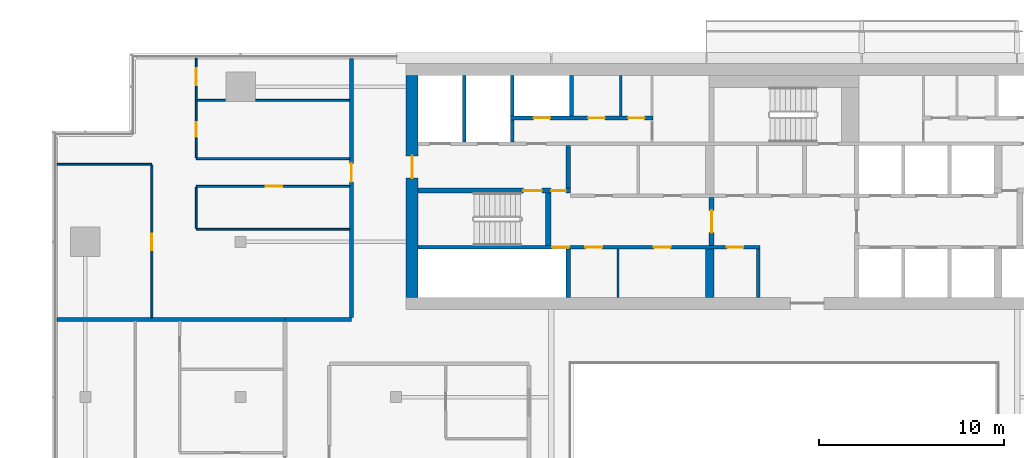
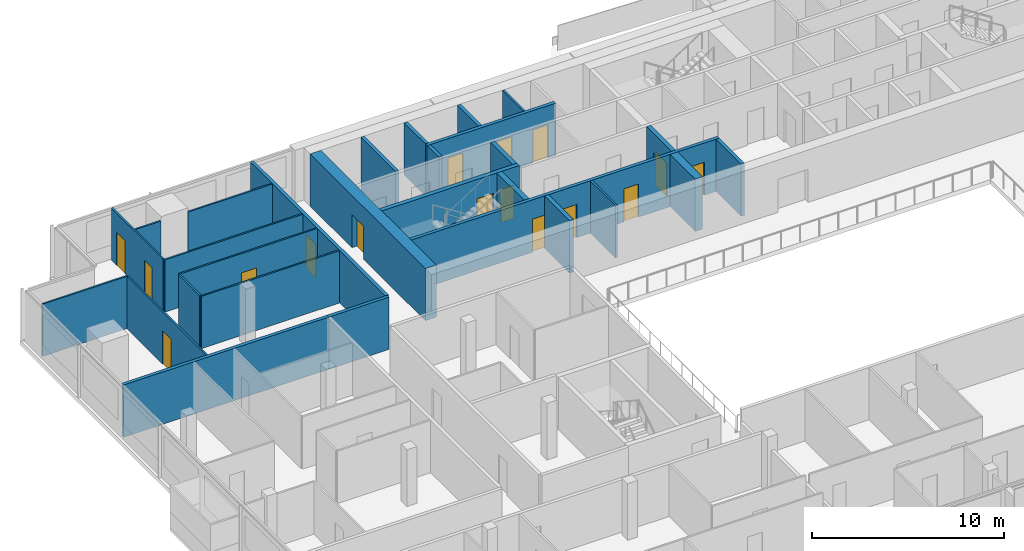
# One storey, part 20 of 26: 28 walls, 16 doors, 16 openings.
"""IFC4 building model written with IfcOpenShell, lengths in metres."""

from ifc_helpers import new_model, si_unit, direction, frame, frame_2d, origin, place, context, subcontext, project, spatial, rectangle, extrude, material, layer, layer_set, type_object, element, fill, save


model = new_model("IFC4")

# Units and contexts
model_context = context("Model", 3, precision=1e-05, world=origin(), true_north=direction((0.0, 1.0)))
body_context = subcontext(model_context, "Body", "Model", "MODEL_VIEW")
ifc_project = project(units=[si_unit("LENGTHUNIT", "METRE"), si_unit("AREAUNIT", "SQUARE_METRE"), si_unit("VOLUMEUNIT", "CUBIC_METRE"), si_unit("PLANEANGLEUNIT", "RADIAN"), si_unit("MASSUNIT", "GRAM", prefix="KILO")], contexts=[model_context])

# Site, building, storey
site_placement = place(None, origin())
site = spatial("IfcSite", under=ifc_project, at=site_placement, CompositionType="ELEMENT")
building_placement = place(site_placement, origin())
building = spatial("IfcBuilding", under=site, at=building_placement, Name="Saffron Gate Tower", CompositionType="ELEMENT")
storey_placement = place(building_placement, frame((0.0, 0.0, 230.699951171875)))
storey = spatial("IfcBuildingStorey", under=building, at=storey_placement, Name="L56", CompositionType="ELEMENT", Elevation=230.699951171875)

# Walls
ifc_material_1 = material(Name="Gypsum board partition on steel studs", Category="steel")
ifc_layer_1 = layer(ifc_material_1, 0.199951171875)
ifc_layer_set_1 = layer_set([ifc_layer_1], Name="CW10 Core partition 200")
wall_type_1 = type_object("IfcWallType", Name="CW10 Core partition 200", PredefinedType="PARTITIONING", material=ifc_layer_set_1)
wall_1_placement = place(storey_placement, frame((86.199951171875, 62.39990234375, 0.0), z_axis=(0.0, 0.0, 1.0), x_axis=(0.0, 1.0, 0.0)))
element("IfcWall", 1, at=wall_1_placement, inside=storey, type_object=wall_type_1, Name="Wall CW10-L56-8", PredefinedType="PARTITIONING", context=body_context, shape_type="SweptSolid", body=[
    extrude(rectangle(XDim=2.60009765625, YDim=0.199951171875, at=frame_2d((1.300048828125, 0.0))), origin(), (0.0, 0.0, 1.0), 3.320068359375),
])
ifc_material_2 = material(Name="Concrete C60", Category="concrete")
ifc_layer_2 = layer(ifc_material_2, 0.25)
ifc_layer_set_2 = layer_set([ifc_layer_2], Name="CW14 RC core wall 250 C60")
wall_type_2 = type_object("IfcWallType", Name="CW14 RC core wall 250 C60", PredefinedType="SOLIDWALL", material=ifc_layer_set_2)
wall_2_placement = place(storey_placement, frame((75.925048828125, 62.39990234375, 0.0), z_axis=(0.0, 0.0, 1.0), x_axis=(0.0, 1.0, 0.0)))
element("IfcWall", 2, at=wall_2_placement, inside=storey, type_object=wall_type_2, Name="Wall CW14-L56-5", PredefinedType="SOLIDWALL", context=body_context, shape_type="SweptSolid", body=[
    extrude(rectangle(XDim=2.60009765625, YDim=0.25, at=frame_2d((1.300048828125, 0.0))), origin(), (0.0, 0.0, 1.0), 3.320068359375),
])

# Wall, opening, door
wall_3_placement = place(storey_placement, frame((83.675048828125, 65.199951171875, 0.0), z_axis=(0.0, 0.0, 1.0), x_axis=(0.0, 1.0, 0.0)))
wall_3 = element("IfcWall", 3, at=wall_3_placement, inside=storey, type_object=wall_type_2, Name="Wall CW14-L56-16", PredefinedType="SOLIDWALL", context=body_context, shape_type="SweptSolid", body=[
    extrude(rectangle(XDim=2.60009765625, YDim=0.25, at=frame_2d((1.300048828125, 0.0))), origin(), (0.0, 0.0, 1.0), 3.320068359375),
])
opening_1_placement = place(wall_3_placement, frame((0.699951171875, 0.0, 0.0)))
opening_1 = element("IfcOpeningElement", 4, at=opening_1_placement, cuts=wall_3, Name="Opening CR-07", PredefinedType="OPENING", context=body_context, shape_type="SweptSolid", body=[
    extrude(rectangle(XDim=1.199951171875, YDim=2.10009765625, at=frame_2d((0.60009765625, 1.050048828125))), frame((0.0, 0.135009765625, 0.0), z_axis=(0.0, -1.0, 0.0), x_axis=(1.0, 0.0, 0.0)), (0.0, 0.0, 1.0), 0.27001953125),
])
ifc_material_3 = material(Name="Steel fire door set", Category="steel")
door_type_1 = type_object("IfcDoorType", Name="CD3 Lobby door 1200x2100 EI 120", OperationType="NOTDEFINED", PredefinedType="DOOR", material=ifc_material_3)
door_1_placement = place(opening_1_placement, origin())
door_1 = element("IfcDoor", 5, at=door_1_placement, inside=storey, type_object=door_type_1, Name="DOOR CR-07", OperationType="SINGLE_SWING_RIGHT", OverallHeight=2.10009765625, OverallWidth=1.199951171875, PredefinedType="DOOR", context=body_context, shape_type="SweptSolid", body=[
    extrude(rectangle(XDim=1.199951171875, YDim=2.10009765625, at=frame_2d((0.60009765625, 1.050048828125))), frame((0.0, 0.02490234375, 0.0), z_axis=(0.0, -1.0, 0.0), x_axis=(1.0, 0.0, 0.0)), (0.0, 0.0, 1.0), 0.050048828125),
])
fill(opening_1, door_1)

# Wall, openings, doors
wall_4_placement = place(storey_placement, frame((67.800048828125, 68.175048828125, 0.0), z_axis=(0.0, 0.0, 1.0), x_axis=(1.0, 0.0, 0.0)))
wall_4 = element("IfcWall", 6, at=wall_4_placement, inside=storey, type_object=wall_type_2, Name="Wall CW14-L56-28", PredefinedType="SOLIDWALL", context=body_context, shape_type="SweptSolid", body=[
    extrude(rectangle(XDim=8.25, YDim=0.25, at=frame_2d((4.125, 0.0))), origin(), (0.0, 0.0, 1.0), 3.320068359375),
])
opening_2_placement = place(wall_4_placement, frame((5.699951171875, 0.0, 0.0)))
opening_2 = element("IfcOpeningElement", 7, at=opening_2_placement, cuts=wall_4, Name="Opening CR-15", PredefinedType="OPENING", context=body_context, shape_type="SweptSolid", body=[
    extrude(rectangle(XDim=1.0, YDim=2.10009765625, at=frame_2d((0.5, 1.050048828125))), frame((0.0, 0.135009765625, 0.0), z_axis=(0.0, -1.0, 0.0), x_axis=(1.0, 0.0, 0.0)), (0.0, 0.0, 1.0), 0.27001953125),
])
opening_3_placement = place(wall_4_placement, frame((7.199951171875, 0.0, 0.0)))
opening_3 = element("IfcOpeningElement", 8, at=opening_3_placement, cuts=wall_4, Name="Opening CR-06", PredefinedType="OPENING", context=body_context, shape_type="SweptSolid", body=[
    extrude(rectangle(XDim=0.800048828125, YDim=2.10009765625, at=frame_2d((0.39990234375, 1.050048828125))), frame((0.0, 0.135009765625, 0.0), z_axis=(0.0, -1.0, 0.0), x_axis=(1.0, 0.0, 0.0)), (0.0, 0.0, 1.0), 0.27001953125),
])
door_type_2 = type_object("IfcDoorType", Name="CD5 Stair door 1000x2100 EI 120", OperationType="NOTDEFINED", PredefinedType="DOOR", material=ifc_material_3)
door_2_placement = place(opening_2_placement, origin())
door_2 = element("IfcDoor", 9, at=door_2_placement, inside=storey, type_object=door_type_2, Name="DOOR CR-15", OperationType="SINGLE_SWING_RIGHT", OverallHeight=2.10009765625, OverallWidth=1.0, PredefinedType="DOOR", context=body_context, shape_type="SweptSolid", body=[
    extrude(rectangle(XDim=1.0, YDim=2.10009765625, at=frame_2d((0.5, 1.050048828125))), frame((0.0, 0.02490234375, 0.0), z_axis=(0.0, -1.0, 0.0), x_axis=(1.0, 0.0, 0.0)), (0.0, 0.0, 1.0), 0.050048828125),
])
fill(opening_2, door_2)
door_type_3 = type_object("IfcDoorType", Name="CD6 Lobby door 800x2100 EI 120", OperationType="NOTDEFINED", PredefinedType="DOOR", material=ifc_material_3)
door_3_placement = place(opening_3_placement, origin())
door_3 = element("IfcDoor", 10, at=door_3_placement, inside=storey, type_object=door_type_3, Name="DOOR CR-06", OperationType="SINGLE_SWING_LEFT", OverallHeight=2.10009765625, OverallWidth=0.800048828125, PredefinedType="DOOR", context=body_context, shape_type="SweptSolid", body=[
    extrude(rectangle(XDim=0.800048828125, YDim=2.10009765625, at=frame_2d((0.39990234375, 1.050048828125))), frame((0.0, 0.02490234375, 0.0), z_axis=(0.0, -1.0, 0.0), x_axis=(1.0, 0.0, 0.0)), (0.0, 0.0, 1.0), 0.050048828125),
])
fill(opening_3, door_3)

# Wall
wall_5_placement = place(storey_placement, frame((75.925048828125, 68.300048828125, 0.0), z_axis=(0.0, 0.0, 1.0), x_axis=(0.0, 1.0, 0.0)))
element("IfcWall", 11, at=wall_5_placement, inside=storey, type_object=wall_type_2, Name="Wall CW14-L56-30", PredefinedType="SOLIDWALL", context=body_context, shape_type="SweptSolid", body=[
    extrude(rectangle(XDim=2.300048828125, YDim=0.25, at=frame_2d((1.14990234375, 0.0))), origin(), (0.0, 0.0, 1.0), 3.320068359375),
])

# Wall, openings, doors
ifc_layer_3 = layer(ifc_material_2, 0.199951171875)
ifc_layer_set_3 = layer_set([ifc_layer_3], Name="CW15 RC core wall 200 C60")
wall_type_3 = type_object("IfcWallType", Name="CW15 RC core wall 200 C60", PredefinedType="SOLIDWALL", material=ifc_layer_set_3)
wall_6_placement = place(storey_placement, frame((67.800048828125, 65.10009765625, 0.0), z_axis=(0.0, 0.0, 1.0), x_axis=(1.0, 0.0, 0.0)))
wall_6 = element("IfcWall", 12, at=wall_6_placement, inside=storey, type_object=wall_type_3, Name="Wall CW15-L56-13", PredefinedType="SOLIDWALL", context=body_context, shape_type="SweptSolid", body=[
    extrude(rectangle(XDim=18.5, YDim=0.199951171875, at=frame_2d((9.25, 0.0))), origin(), (0.0, 0.0, 1.0), 3.320068359375),
])
opening_4_placement = place(wall_6_placement, frame((7.27001953125, 0.0, 0.0)))
opening_4 = element("IfcOpeningElement", 13, at=opening_4_placement, cuts=wall_6, Name="Opening CR-49", PredefinedType="OPENING", context=body_context, shape_type="SweptSolid", body=[
    extrude(rectangle(XDim=0.89990234375, YDim=2.10009765625, at=frame_2d((0.449951171875, 1.050048828125))), frame((0.0, 0.10986328125, 0.0), z_axis=(0.0, -1.0, 0.0), x_axis=(1.0, 0.0, 0.0)), (0.0, 0.0, 1.0), 0.219970703125),
])
opening_5_placement = place(wall_6_placement, frame((9.050048828125, 0.0, 0.0)))
opening_5 = element("IfcOpeningElement", 14, at=opening_5_placement, cuts=wall_6, Name="Opening CR-64", PredefinedType="OPENING", context=body_context, shape_type="SweptSolid", body=[
    extrude(rectangle(XDim=0.89990234375, YDim=2.10009765625, at=frame_2d((0.449951171875, 1.050048828125))), frame((0.0, 0.10986328125, 0.0), z_axis=(0.0, -1.0, 0.0), x_axis=(1.0, 0.0, 0.0)), (0.0, 0.0, 1.0), 0.219970703125),
])
opening_6_placement = place(wall_6_placement, frame((12.760009765625, 0.0, 0.0)))
opening_6 = element("IfcOpeningElement", 15, at=opening_6_placement, cuts=wall_6, Name="Opening CR-65", PredefinedType="OPENING", context=body_context, shape_type="SweptSolid", body=[
    extrude(rectangle(XDim=0.89990234375, YDim=2.10009765625, at=frame_2d((0.449951171875, 1.050048828125))), frame((0.0, 0.10986328125, 0.0), z_axis=(0.0, -1.0, 0.0), x_axis=(1.0, 0.0, 0.0)), (0.0, 0.0, 1.0), 0.219970703125),
])
opening_7_placement = place(wall_6_placement, frame((16.699951171875, 0.0, 0.0)))
opening_7 = element("IfcOpeningElement", 16, at=opening_7_placement, cuts=wall_6, Name="Opening CR-69", PredefinedType="OPENING", context=body_context, shape_type="SweptSolid", body=[
    extrude(rectangle(XDim=0.89990234375, YDim=2.10009765625, at=frame_2d((0.449951171875, 1.050048828125))), frame((0.0, 0.10986328125, 0.0), z_axis=(0.0, -1.0, 0.0), x_axis=(1.0, 0.0, 0.0)), (0.0, 0.0, 1.0), 0.219970703125),
])
door_type_4 = type_object("IfcDoorType", Name="CD2 Riser door 900x2100 EI 60", OperationType="NOTDEFINED", PredefinedType="DOOR", material=ifc_material_3)
door_4_placement = place(opening_4_placement, origin())
door_4 = element("IfcDoor", 17, at=door_4_placement, inside=storey, type_object=door_type_4, Name="DOOR CR-49", OperationType="SINGLE_SWING_LEFT", OverallHeight=2.10009765625, OverallWidth=0.89990234375, PredefinedType="DOOR", context=body_context, shape_type="SweptSolid", body=[
    extrude(rectangle(XDim=0.89990234375, YDim=2.10009765625, at=frame_2d((0.449951171875, 1.050048828125))), frame((0.0, 0.02490234375, 0.0), z_axis=(0.0, -1.0, 0.0), x_axis=(1.0, 0.0, 0.0)), (0.0, 0.0, 1.0), 0.050048828125),
])
fill(opening_4, door_4)
door_type_5 = type_object("IfcDoorType", Name="CD9 Room door 900x2100 EI 60", OperationType="NOTDEFINED", PredefinedType="DOOR", material=ifc_material_3)
door_5_placement = place(opening_5_placement, origin())
door_5 = element("IfcDoor", 18, at=door_5_placement, inside=storey, type_object=door_type_5, Name="DOOR CR-64", OperationType="SINGLE_SWING_RIGHT", OverallHeight=2.10009765625, OverallWidth=0.89990234375, PredefinedType="DOOR", context=body_context, shape_type="SweptSolid", body=[
    extrude(rectangle(XDim=0.89990234375, YDim=2.10009765625, at=frame_2d((0.449951171875, 1.050048828125))), frame((0.0, 0.02490234375, 0.0), z_axis=(0.0, -1.0, 0.0), x_axis=(1.0, 0.0, 0.0)), (0.0, 0.0, 1.0), 0.050048828125),
])
fill(opening_5, door_5)
door_6_placement = place(opening_6_placement, origin())
door_6 = element("IfcDoor", 19, at=door_6_placement, inside=storey, type_object=door_type_5, Name="DOOR CR-65", OperationType="SINGLE_SWING_RIGHT", OverallHeight=2.10009765625, OverallWidth=0.89990234375, PredefinedType="DOOR", context=body_context, shape_type="SweptSolid", body=[
    extrude(rectangle(XDim=0.89990234375, YDim=2.10009765625, at=frame_2d((0.449951171875, 1.050048828125))), frame((0.0, 0.02490234375, 0.0), z_axis=(0.0, -1.0, 0.0), x_axis=(1.0, 0.0, 0.0)), (0.0, 0.0, 1.0), 0.050048828125),
])
fill(opening_6, door_6)
door_7_placement = place(opening_7_placement, origin())
door_7 = element("IfcDoor", 20, at=door_7_placement, inside=storey, type_object=door_type_5, Name="DOOR CR-69", OperationType="SINGLE_SWING_RIGHT", OverallHeight=2.10009765625, OverallWidth=0.89990234375, PredefinedType="DOOR", context=body_context, shape_type="SweptSolid", body=[
    extrude(rectangle(XDim=0.89990234375, YDim=2.10009765625, at=frame_2d((0.449951171875, 1.050048828125))), frame((0.0, 0.02490234375, 0.0), z_axis=(0.0, -1.0, 0.0), x_axis=(1.0, 0.0, 0.0)), (0.0, 0.0, 1.0), 0.050048828125),
])
fill(opening_7, door_7)

# Walls
wall_7_placement = place(storey_placement, frame((70.300048828125, 70.800048828125, 0.0), z_axis=(0.0, 0.0, 1.0), x_axis=(0.0, 1.0, 0.0)))
element("IfcWall", 21, at=wall_7_placement, inside=storey, type_object=wall_type_3, Name="Wall CW15-L56-33", PredefinedType="SOLIDWALL", context=body_context, shape_type="SweptSolid", body=[
    extrude(rectangle(XDim=3.599853515625, YDim=0.199951171875, at=frame_2d((1.7998046875, 0.0))), origin(), (0.0, 0.0, 1.0), 3.320068359375),
])
wall_8_placement = place(storey_placement, frame((72.89990234375, 70.800048828125, 0.0), z_axis=(0.0, 0.0, 1.0), x_axis=(0.0, 1.0, 0.0)))
element("IfcWall", 22, at=wall_8_placement, inside=storey, type_object=wall_type_3, Name="Wall CW15-L56-34", PredefinedType="SOLIDWALL", context=body_context, shape_type="SweptSolid", body=[
    extrude(rectangle(XDim=1.199951171875, YDim=0.199951171875, at=frame_2d((0.60009765625, 0.0))), origin(), (0.0, 0.0, 1.0), 3.320068359375),
])

# Wall, openings, doors
wall_9_placement = place(storey_placement, frame((72.800048828125, 72.10009765625, 0.0), z_axis=(0.0, 0.0, 1.0), x_axis=(1.0, 0.0, 0.0)))
wall_9 = element("IfcWall", 23, at=wall_9_placement, inside=storey, type_object=wall_type_3, Name="Wall CW15-L56-41", PredefinedType="SOLIDWALL", context=body_context, shape_type="SweptSolid", body=[
    extrude(rectangle(XDim=7.719970703125, YDim=0.199951171875, at=frame_2d((3.85986328125, 0.0))), origin(), (0.0, 0.0, 1.0), 3.320068359375),
])
opening_8_placement = place(wall_9_placement, frame((1.25, 0.0, 0.0)))
opening_8 = element("IfcOpeningElement", 24, at=opening_8_placement, cuts=wall_9, Name="Opening CR-71", PredefinedType="OPENING", context=body_context, shape_type="SweptSolid", body=[
    extrude(rectangle(XDim=0.89990234375, YDim=2.10009765625, at=frame_2d((0.449951171875, 1.050048828125))), frame((0.0, 0.10986328125, 0.0), z_axis=(0.0, -1.0, 0.0), x_axis=(1.0, 0.0, 0.0)), (0.0, 0.0, 1.0), 0.219970703125),
])
opening_9_placement = place(wall_9_placement, frame((4.199951171875, 0.0, 0.0)))
opening_9 = element("IfcOpeningElement", 25, at=opening_9_placement, cuts=wall_9, Name="Opening CR-55", PredefinedType="OPENING", context=body_context, shape_type="SweptSolid", body=[
    extrude(rectangle(XDim=0.89990234375, YDim=2.10009765625, at=frame_2d((0.449951171875, 1.050048828125))), frame((0.0, 0.10986328125, 0.0), z_axis=(0.0, -1.0, 0.0), x_axis=(1.0, 0.0, 0.0)), (0.0, 0.0, 1.0), 0.219970703125),
])
opening_10_placement = place(wall_9_placement, frame((6.360107421875, 0.0, 0.0)))
opening_10 = element("IfcOpeningElement", 26, at=opening_10_placement, cuts=wall_9, Name="Opening CR-58", PredefinedType="OPENING", context=body_context, shape_type="SweptSolid", body=[
    extrude(rectangle(XDim=0.89990234375, YDim=2.10009765625, at=frame_2d((0.449951171875, 1.050048828125))), frame((0.0, 0.10986328125, 0.0), z_axis=(0.0, -1.0, 0.0), x_axis=(1.0, 0.0, 0.0)), (0.0, 0.0, 1.0), 0.219970703125),
])
door_8_placement = place(opening_8_placement, origin())
door_8 = element("IfcDoor", 27, at=door_8_placement, inside=storey, type_object=door_type_4, Name="DOOR CR-71", OperationType="SINGLE_SWING_LEFT", OverallHeight=2.10009765625, OverallWidth=0.89990234375, PredefinedType="DOOR", context=body_context, shape_type="SweptSolid", body=[
    extrude(rectangle(XDim=0.89990234375, YDim=2.10009765625, at=frame_2d((0.449951171875, 1.050048828125))), frame((0.0, 0.02490234375, 0.0), z_axis=(0.0, -1.0, 0.0), x_axis=(1.0, 0.0, 0.0)), (0.0, 0.0, 1.0), 0.050048828125),
])
fill(opening_8, door_8)
door_9_placement = place(opening_9_placement, origin())
door_9 = element("IfcDoor", 28, at=door_9_placement, inside=storey, type_object=door_type_5, Name="DOOR CR-55", OperationType="SINGLE_SWING_LEFT", OverallHeight=2.10009765625, OverallWidth=0.89990234375, PredefinedType="DOOR", context=body_context, shape_type="SweptSolid", body=[
    extrude(rectangle(XDim=0.89990234375, YDim=2.10009765625, at=frame_2d((0.449951171875, 1.050048828125))), frame((0.0, 0.02490234375, 0.0), z_axis=(0.0, -1.0, 0.0), x_axis=(1.0, 0.0, 0.0)), (0.0, 0.0, 1.0), 0.050048828125),
])
fill(opening_9, door_9)
door_10_placement = place(opening_10_placement, origin())
door_10 = element("IfcDoor", 29, at=door_10_placement, inside=storey, type_object=door_type_5, Name="DOOR CR-58", OperationType="SINGLE_SWING_LEFT", OverallHeight=2.10009765625, OverallWidth=0.89990234375, PredefinedType="DOOR", context=body_context, shape_type="SweptSolid", body=[
    extrude(rectangle(XDim=0.89990234375, YDim=2.10009765625, at=frame_2d((0.449951171875, 1.050048828125))), frame((0.0, 0.02490234375, 0.0), z_axis=(0.0, -1.0, 0.0), x_axis=(1.0, 0.0, 0.0)), (0.0, 0.0, 1.0), 0.050048828125),
])
fill(opening_10, door_10)

# Walls
for number, where, z_axis, x_axis, name in (
    (30, (72.89990234375, 72.199951171875, 0.0), (0.0, 0.0, 1.0), (0.0, 1.0, 0.0), "Wall CW15-L56-43"),
    (31, (76.10009765625, 72.199951171875, 0.0), (0.0, 0.0, 1.0), (0.0, 1.0, 0.0), "Wall CW15-L56-44"),
):
    element("IfcWall", number, at=place(storey_placement, frame(where, z_axis=z_axis, x_axis=x_axis)), inside=storey, type_object=wall_type_3, Name=name, PredefinedType="SOLIDWALL", context=body_context, shape_type="SweptSolid", body=[
        extrude(rectangle(XDim=2.199951171875, YDim=0.199951171875, at=frame_2d((1.10009765625, 0.0))), origin(), (0.0, 0.0, 1.0), 3.320068359375),
    ])
ifc_layer_4 = layer(ifc_material_2, 0.449951171875)
ifc_layer_set_4 = layer_set([ifc_layer_4], Name="CW16 RC core wall 450 C60")
wall_type_4 = type_object("IfcWallType", Name="CW16 RC core wall 450 C60", PredefinedType="SOLIDWALL", material=ifc_layer_set_4)
wall_10_placement = place(storey_placement, frame((83.574951171875, 62.39990234375, 0.0), z_axis=(0.0, 0.0, 1.0), x_axis=(0.0, 1.0, 0.0)))
element("IfcWall", 32, at=wall_10_placement, inside=storey, type_object=wall_type_4, Name="Wall CW16-L56-7", PredefinedType="SOLIDWALL", context=body_context, shape_type="SweptSolid", body=[
    extrude(rectangle(XDim=2.60009765625, YDim=0.449951171875, at=frame_2d((1.300048828125, 0.0))), origin(), (0.0, 0.0, 1.0), 3.320068359375),
])
ifc_layer_5 = layer(ifc_material_2, 0.300048828125)
ifc_layer_set_5 = layer_set([ifc_layer_5], Name="CW17 RC core wall 300 C60")
wall_type_5 = type_object("IfcWallType", Name="CW17 RC core wall 300 C60", PredefinedType="SOLIDWALL", material=ifc_layer_set_5)
wall_11_placement = place(storey_placement, frame((74.85009765625, 65.199951171875, 0.0), z_axis=(0.0, 0.0, 1.0), x_axis=(0.0, 1.0, 0.0)))
element("IfcWall", 33, at=wall_11_placement, inside=storey, type_object=wall_type_5, Name="Wall CW17-L56-15", PredefinedType="SOLIDWALL", context=body_context, shape_type="SweptSolid", body=[
    extrude(rectangle(XDim=2.85009765625, YDim=0.300048828125, at=frame_2d((1.425048828125, 0.0))), origin(), (0.0, 0.0, 1.0), 3.320068359375),
])

# Wall, opening, door
ifc_layer_6 = layer(ifc_material_2, 0.64990234375)
ifc_layer_set_6 = layer_set([ifc_layer_6], Name="CW20 RC core wall 650 C60")
wall_type_6 = type_object("IfcWallType", Name="CW20 RC core wall 650 C60", PredefinedType="SOLIDWALL", material=ifc_layer_set_6)
wall_12_placement = place(storey_placement, frame((67.47509765625, 62.39990234375, 0.0), z_axis=(0.0, 0.0, 1.0), x_axis=(0.0, 1.0, 0.0)))
wall_12 = element("IfcWall", 34, at=wall_12_placement, inside=storey, type_object=wall_type_6, Name="Wall CW20-L56-3", PredefinedType="SOLIDWALL", context=body_context, shape_type="SweptSolid", body=[
    extrude(rectangle(XDim=12.0, YDim=0.64990234375, at=frame_2d((6.0, 0.0))), origin(), (0.0, 0.0, 1.0), 3.320068359375),
])
opening_11_placement = place(wall_12_placement, frame((6.449951171875, 0.0, 0.0)))
opening_11 = element("IfcOpeningElement", 35, at=opening_11_placement, cuts=wall_12, Name="Opening CR-10", PredefinedType="OPENING", context=body_context, shape_type="SweptSolid", body=[
    extrude(rectangle(XDim=1.199951171875, YDim=2.10009765625, at=frame_2d((0.60009765625, 1.050048828125))), frame((0.0, 0.3349609375, 0.0), z_axis=(0.0, -1.0, 0.0), x_axis=(1.0, 0.0, 0.0)), (0.0, 0.0, 1.0), 0.669921875),
])
door_type_6 = type_object("IfcDoorType", Name="CD7 Core entrance door 1200x2100 EI 120", OperationType="NOTDEFINED", PredefinedType="DOOR", material=ifc_material_3)
door_11_placement = place(opening_11_placement, origin())
door_11 = element("IfcDoor", 36, at=door_11_placement, inside=storey, type_object=door_type_6, Name="DOOR CR-10", OperationType="SINGLE_SWING_LEFT", OverallHeight=2.10009765625, OverallWidth=1.199951171875, PredefinedType="DOOR", context=body_context, shape_type="SweptSolid", body=[
    extrude(rectangle(XDim=1.199951171875, YDim=2.10009765625, at=frame_2d((0.60009765625, 1.050048828125))), frame((0.0, 0.02490234375, 0.0), z_axis=(0.0, -1.0, 0.0), x_axis=(1.0, 0.0, 0.0)), (0.0, 0.0, 1.0), 0.050048828125),
])
fill(opening_11, door_11)

# Walls
ifc_layer_7 = layer(ifc_material_1, 0.1201171875)
ifc_layer_set_7 = layer_set([ifc_layer_7], Name="CW8 Core partition 120")
wall_type_7 = type_object("IfcWallType", Name="CW8 Core partition 120", PredefinedType="PARTITIONING", material=ifc_layer_set_7)
wall_13_placement = place(storey_placement, frame((78.610107421875, 62.39990234375, 0.0), z_axis=(0.0, 0.0, 1.0), x_axis=(0.0, 1.0, 0.0)))
element("IfcWall", 37, at=wall_13_placement, inside=storey, type_object=wall_type_7, Name="Wall CW8-L56-6", PredefinedType="PARTITIONING", context=body_context, shape_type="SweptSolid", body=[
    extrude(rectangle(XDim=2.60009765625, YDim=0.1201171875, at=frame_2d((1.300048828125, 0.0))), origin(), (0.0, 0.0, 1.0), 3.320068359375),
])
wall_14_placement = place(storey_placement, frame((78.760009765625, 72.199951171875, 0.0), z_axis=(0.0, 0.0, 1.0), x_axis=(0.0, 1.0, 0.0)))
element("IfcWall", 38, at=wall_14_placement, inside=storey, type_object=wall_type_7, Name="Wall CW8-L56-45", PredefinedType="PARTITIONING", context=body_context, shape_type="SweptSolid", body=[
    extrude(rectangle(XDim=2.199951171875, YDim=0.1201171875, at=frame_2d((1.10009765625, 0.0))), origin(), (0.0, 0.0, 1.0), 3.320068359375),
])
ifc_material_4 = material(Name="Plasterboard on steel studs", Category="steel")
ifc_layer_8 = layer(ifc_material_4, 0.10009765625)
ifc_layer_set_8 = layer_set([ifc_layer_8], Name="PW1 Partition 100")
wall_type_8 = type_object("IfcWallType", Name="PW1 Partition 100", PredefinedType="PARTITIONING", material=ifc_layer_set_8)
wall_15_placement = place(storey_placement, frame((55.800048828125, 66.0810546875, 0.0), z_axis=(0.0, 0.0, 1.0), x_axis=(1.0, 0.0, 0.0)))
element("IfcWall", 39, at=wall_15_placement, inside=storey, type_object=wall_type_8, Name="Partition D3-45", PredefinedType="PARTITIONING", context=body_context, shape_type="SweptSolid", body=[
    extrude(rectangle(XDim=8.300048828125, YDim=0.10009765625, at=frame_2d((4.14990234375, 0.0))), origin(), (0.0, 0.0, 1.0), 3.320068359375),
])

# Wall, opening, door
wall_16_placement = place(storey_placement, frame((64.10009765625, 68.39990234375, 0.0), z_axis=(0.0, 0.0, 1.0), x_axis=(-1.0, 0.0, 0.0)))
wall_16 = element("IfcWall", 40, at=wall_16_placement, inside=storey, type_object=wall_type_8, Name="Partition D3-47", PredefinedType="PARTITIONING", context=body_context, shape_type="SweptSolid", body=[
    extrude(rectangle(XDim=8.300048828125, YDim=0.10009765625, at=frame_2d((4.14990234375, 0.0))), origin(), (0.0, 0.0, 1.0), 3.320068359375),
])
opening_12_placement = place(wall_16_placement, frame((3.64990234375, 0.0, 0.0)))
opening_12 = element("IfcOpeningElement", 41, at=opening_12_placement, cuts=wall_16, Name="Opening D3-29", PredefinedType="OPENING", context=body_context, shape_type="SweptSolid", body=[
    extrude(rectangle(XDim=0.89990234375, YDim=2.10009765625, at=frame_2d((0.449951171875, 1.050048828125))), frame((0.0, 0.06005859375, 0.0), z_axis=(0.0, -1.0, 0.0), x_axis=(1.0, 0.0, 0.0)), (0.0, 0.0, 1.0), 0.1201171875),
])
ifc_material_5 = material(Name="Timber door set", Category="wood")
door_type_7 = type_object("IfcDoorType", Name="RD1 Room door 900x2100", OperationType="NOTDEFINED", PredefinedType="DOOR", material=ifc_material_5)
door_12_placement = place(opening_12_placement, origin())
door_12 = element("IfcDoor", 42, at=door_12_placement, inside=storey, type_object=door_type_7, Name="Door D3-29", OperationType="SINGLE_SWING_LEFT", OverallHeight=2.10009765625, OverallWidth=0.89990234375, PredefinedType="DOOR", context=body_context, shape_type="SweptSolid", body=[
    extrude(rectangle(XDim=0.89990234375, YDim=2.10009765625, at=frame_2d((0.449951171875, 1.050048828125))), frame((0.0, 0.02490234375, 0.0), z_axis=(0.0, -1.0, 0.0), x_axis=(1.0, 0.0, 0.0)), (0.0, 0.0, 1.0), 0.050048828125),
])
fill(opening_12, door_12)

# Walls
wall_17_placement = place(storey_placement, frame((48.280029296875, 69.60009765625, 0.0), z_axis=(0.0, 0.0, 1.0), x_axis=(1.0, 0.0, 0.0)))
element("IfcWall", 43, at=wall_17_placement, inside=storey, type_object=wall_type_8, Name="Partition D3-48", PredefinedType="PARTITIONING", context=body_context, shape_type="SweptSolid", body=[
    extrude(rectangle(XDim=5.119873046875, YDim=0.10009765625, at=frame_2d((2.56005859375, 0.0))), origin(), (0.0, 0.0, 1.0), 3.320068359375),
])
wall_18_placement = place(storey_placement, frame((55.800048828125, 69.89990234375, 0.0), z_axis=(0.0, 0.0, 1.0), x_axis=(1.0, 0.0, 0.0)))
element("IfcWall", 44, at=wall_18_placement, inside=storey, type_object=wall_type_8, Name="Partition D3-50", PredefinedType="PARTITIONING", context=body_context, shape_type="SweptSolid", body=[
    extrude(rectangle(XDim=8.300048828125, YDim=0.10009765625, at=frame_2d((4.14990234375, 0.0))), origin(), (0.0, 0.0, 1.0), 3.320068359375),
])
wall_19_placement = place(storey_placement, frame((55.85009765625, 73.0546875, 0.0), z_axis=(0.0, 0.0, 1.0), x_axis=(1.0, 0.0, 0.0)))
element("IfcWall", 45, at=wall_19_placement, inside=storey, type_object=wall_type_8, Name="Partition D3-51", PredefinedType="PARTITIONING", context=body_context, shape_type="SweptSolid", body=[
    extrude(rectangle(XDim=1.52978515625, YDim=0.10009765625, at=frame_2d((0.764892578125, 0.0))), origin(), (0.0, 0.0, 1.0), 3.320068359375),
])
wall_20_placement = place(storey_placement, frame((59.02001953125, 73.0546875, 0.0), z_axis=(0.0, 0.0, 1.0), x_axis=(1.0, 0.0, 0.0)))
element("IfcWall", 46, at=wall_20_placement, inside=storey, type_object=wall_type_8, Name="Partition D3-52", PredefinedType="PARTITIONING", context=body_context, shape_type="SweptSolid", body=[
    extrude(rectangle(XDim=5.080078125, YDim=0.10009765625, at=frame_2d((2.5400390625, 0.0))), origin(), (0.0, 0.0, 1.0), 3.320068359375),
])

# Wall, opening, door
wall_21_placement = place(storey_placement, frame((53.39990234375, 61.300048828125, 0.0), z_axis=(0.0, 0.0, 1.0), x_axis=(0.0, 1.0, 0.0)))
wall_21 = element("IfcWall", 47, at=wall_21_placement, inside=storey, type_object=wall_type_8, Name="Partition D3-58", PredefinedType="PARTITIONING", context=body_context, shape_type="SweptSolid", body=[
    extrude(rectangle(XDim=8.25, YDim=0.10009765625, at=frame_2d((4.125, 0.0))), origin(), (0.0, 0.0, 1.0), 3.320068359375),
])
opening_13_placement = place(wall_21_placement, frame((3.64990234375, 0.0, 0.0)))
opening_13 = element("IfcOpeningElement", 48, at=opening_13_placement, cuts=wall_21, Name="Opening D3-28", PredefinedType="OPENING", context=body_context, shape_type="SweptSolid", body=[
    extrude(rectangle(XDim=0.89990234375, YDim=2.10009765625, at=frame_2d((0.449951171875, 1.050048828125))), frame((0.0, 0.06005859375, 0.0), z_axis=(0.0, -1.0, 0.0), x_axis=(1.0, 0.0, 0.0)), (0.0, 0.0, 1.0), 0.1201171875),
])
door_13_placement = place(opening_13_placement, origin())
door_13 = element("IfcDoor", 49, at=door_13_placement, inside=storey, type_object=door_type_7, Name="Door D3-28", OperationType="SINGLE_SWING_LEFT", OverallHeight=2.10009765625, OverallWidth=0.89990234375, PredefinedType="DOOR", context=body_context, shape_type="SweptSolid", body=[
    extrude(rectangle(XDim=0.89990234375, YDim=2.10009765625, at=frame_2d((0.449951171875, 1.050048828125))), frame((0.0, 0.02490234375, 0.0), z_axis=(0.0, -1.0, 0.0), x_axis=(1.0, 0.0, 0.0)), (0.0, 0.0, 1.0), 0.050048828125),
])
fill(opening_13, door_13)

# Wall
wall_22_placement = place(storey_placement, frame((55.800048828125, 68.35009765625, 0.0), z_axis=(0.0, 0.0, 1.0), x_axis=(0.0, -1.0, 0.0)))
element("IfcWall", 50, at=wall_22_placement, inside=storey, type_object=wall_type_8, Name="Partition D3-62", PredefinedType="PARTITIONING", context=body_context, shape_type="SweptSolid", body=[
    extrude(rectangle(XDim=2.218994140625, YDim=0.10009765625, at=frame_2d((1.109375, 0.0))), origin(), (0.0, 0.0, 1.0), 3.320068359375),
])

# Wall, openings, doors
wall_23_placement = place(storey_placement, frame((55.800048828125, 75.320068359375, 0.0), z_axis=(0.0, 0.0, 1.0), x_axis=(0.0, -1.0, 0.0)))
wall_23 = element("IfcWall", 51, at=wall_23_placement, inside=storey, type_object=wall_type_8, Name="Partition D3-63", PredefinedType="PARTITIONING", context=body_context, shape_type="SweptSolid", body=[
    extrude(rectangle(XDim=5.3701171875, YDim=0.10009765625, at=frame_2d((2.68505859375, 0.0))), origin(), (0.0, 0.0, 1.0), 3.320068359375),
])
opening_14_placement = place(wall_23_placement, frame((0.54248046875, 0.0, 0.0)))
opening_14 = element("IfcOpeningElement", 52, at=opening_14_placement, cuts=wall_23, Name="Opening D3-30", PredefinedType="OPENING", context=body_context, shape_type="SweptSolid", body=[
    extrude(rectangle(XDim=0.89990234375, YDim=2.10009765625, at=frame_2d((0.449951171875, 1.050048828125))), frame((0.0, 0.06005859375, 0.0), z_axis=(0.0, -1.0, 0.0), x_axis=(1.0, 0.0, 0.0)), (0.0, 0.0, 1.0), 0.1201171875),
])
opening_15_placement = place(wall_23_placement, frame((3.442626953125, 0.0, 0.0)))
opening_15 = element("IfcOpeningElement", 53, at=opening_15_placement, cuts=wall_23, Name="Opening D3-47", PredefinedType="OPENING", context=body_context, shape_type="SweptSolid", body=[
    extrude(rectangle(XDim=0.800048828125, YDim=2.10009765625, at=frame_2d((0.39990234375, 1.050048828125))), frame((0.0, 0.06005859375, 0.0), z_axis=(0.0, -1.0, 0.0), x_axis=(1.0, 0.0, 0.0)), (0.0, 0.0, 1.0), 0.1201171875),
])
door_14_placement = place(opening_14_placement, origin())
door_14 = element("IfcDoor", 54, at=door_14_placement, inside=storey, type_object=door_type_7, Name="Door D3-30", OperationType="SINGLE_SWING_LEFT", OverallHeight=2.10009765625, OverallWidth=0.89990234375, PredefinedType="DOOR", context=body_context, shape_type="SweptSolid", body=[
    extrude(rectangle(XDim=0.89990234375, YDim=2.10009765625, at=frame_2d((0.449951171875, 1.050048828125))), frame((0.0, 0.02490234375, 0.0), z_axis=(0.0, -1.0, 0.0), x_axis=(1.0, 0.0, 0.0)), (0.0, 0.0, 1.0), 0.050048828125),
])
fill(opening_14, door_14)
door_type_8 = type_object("IfcDoorType", Name="RD2 Bathroom door 800x2100", OperationType="NOTDEFINED", PredefinedType="DOOR", material=ifc_material_5)
door_15_placement = place(opening_15_placement, origin())
door_15 = element("IfcDoor", 55, at=door_15_placement, inside=storey, type_object=door_type_8, Name="Door D3-47", OperationType="SINGLE_SWING_RIGHT", OverallHeight=2.10009765625, OverallWidth=0.800048828125, PredefinedType="DOOR", context=body_context, shape_type="SweptSolid", body=[
    extrude(rectangle(XDim=0.800048828125, YDim=2.10009765625, at=frame_2d((0.39990234375, 1.050048828125))), frame((0.0, 0.02490234375, 0.0), z_axis=(0.0, -1.0, 0.0), x_axis=(1.0, 0.0, 0.0)), (0.0, 0.0, 1.0), 0.050048828125),
])
fill(opening_15, door_15)

# Walls
ifc_material_6 = material(Name="Clay brick masonry, rendered", Category="masonry")
ifc_layer_9 = layer(ifc_material_6, 0.199951171875)
ifc_layer_set_9 = layer_set([ifc_layer_9], Name="PW2 Demising wall 200")
wall_type_9 = type_object("IfcWallType", Name="PW2 Demising wall 200", PredefinedType="PARTITIONING", material=ifc_layer_set_9)
wall_24_placement = place(storey_placement, frame((48.280029296875, 61.199951171875, 0.0), z_axis=(0.0, 0.0, 1.0), x_axis=(1.0, 0.0, 0.0)))
element("IfcWall", 56, at=wall_24_placement, inside=storey, type_object=wall_type_9, Name="Wall D3-40", PredefinedType="PARTITIONING", context=body_context, shape_type="SweptSolid", body=[
    extrude(rectangle(XDim=12.320068359375, YDim=0.199951171875, at=frame_2d((6.16015625, 0.0))), origin(), (0.0, 0.0, 1.0), 3.320068359375),
])
ifc_layer_10 = layer(ifc_material_6, 0.199951171875)
ifc_layer_set_10 = layer_set([ifc_layer_10], Name="PW3 Corridor wall 200")
wall_type_10 = type_object("IfcWallType", Name="PW3 Corridor wall 200", PredefinedType="PARTITIONING", material=ifc_layer_set_10)
wall_25_placement = place(storey_placement, frame((60.60009765625, 61.199951171875, 0.0), z_axis=(0.0, 0.0, 1.0), x_axis=(1.0, 0.0, 0.0)))
element("IfcWall", 57, at=wall_25_placement, inside=storey, type_object=wall_type_10, Name="Wall D3-38", PredefinedType="PARTITIONING", context=body_context, shape_type="SweptSolid", body=[
    extrude(rectangle(XDim=3.599853515625, YDim=0.199951171875, at=frame_2d((1.7998046875, 0.0))), origin(), (0.0, 0.0, 1.0), 3.320068359375),
])

# Wall, opening, door
wall_26_placement = place(storey_placement, frame((64.199951171875, 61.300048828125, 0.0), z_axis=(0.0, 0.0, 1.0), x_axis=(0.0, 1.0, 0.0)))
wall_26 = element("IfcWall", 58, at=wall_26_placement, inside=storey, type_object=wall_type_10, Name="Wall D3-70", PredefinedType="PARTITIONING", context=body_context, shape_type="SweptSolid", body=[
    extrude(rectangle(XDim=14.02001953125, YDim=0.199951171875, at=frame_2d((7.010009765625, 0.0))), origin(), (0.0, 0.0, 1.0), 3.320068359375),
])
opening_16_placement = place(wall_26_placement, frame((7.35009765625, 0.0, 0.0)))
opening_16 = element("IfcOpeningElement", 59, at=opening_16_placement, cuts=wall_26, Name="Opening D3-5", PredefinedType="OPENING", context=body_context, shape_type="SweptSolid", body=[
    extrude(rectangle(XDim=1.0, YDim=2.10009765625, at=frame_2d((0.5, 1.050048828125))), frame((0.0, 0.10986328125, 0.0), z_axis=(0.0, -1.0, 0.0), x_axis=(1.0, 0.0, 0.0)), (0.0, 0.0, 1.0), 0.219970703125),
])
ifc_material_7 = material(Name="Timber fire door set", Category="wood")
door_type_9 = type_object("IfcDoorType", Name="FD1 Flat entry door 1000x2100", OperationType="NOTDEFINED", PredefinedType="DOOR", material=ifc_material_7)
door_16_placement = place(opening_16_placement, origin())
door_16 = element("IfcDoor", 60, at=door_16_placement, inside=storey, type_object=door_type_9, Name="Door D3-5", OperationType="SINGLE_SWING_LEFT", OverallHeight=2.10009765625, OverallWidth=1.0, PredefinedType="DOOR", context=body_context, shape_type="SweptSolid", body=[
    extrude(rectangle(XDim=1.0, YDim=2.10009765625, at=frame_2d((0.5, 1.050048828125))), frame((0.0, 0.02490234375, 0.0), z_axis=(0.0, -1.0, 0.0), x_axis=(1.0, 0.0, 0.0)), (0.0, 0.0, 1.0), 0.050048828125),
])
fill(opening_16, door_16)

save(model, "model.ifc")
